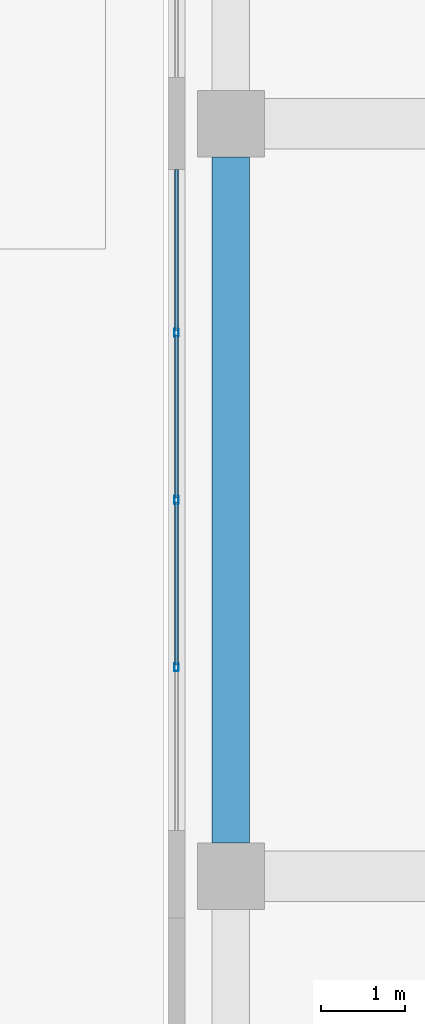
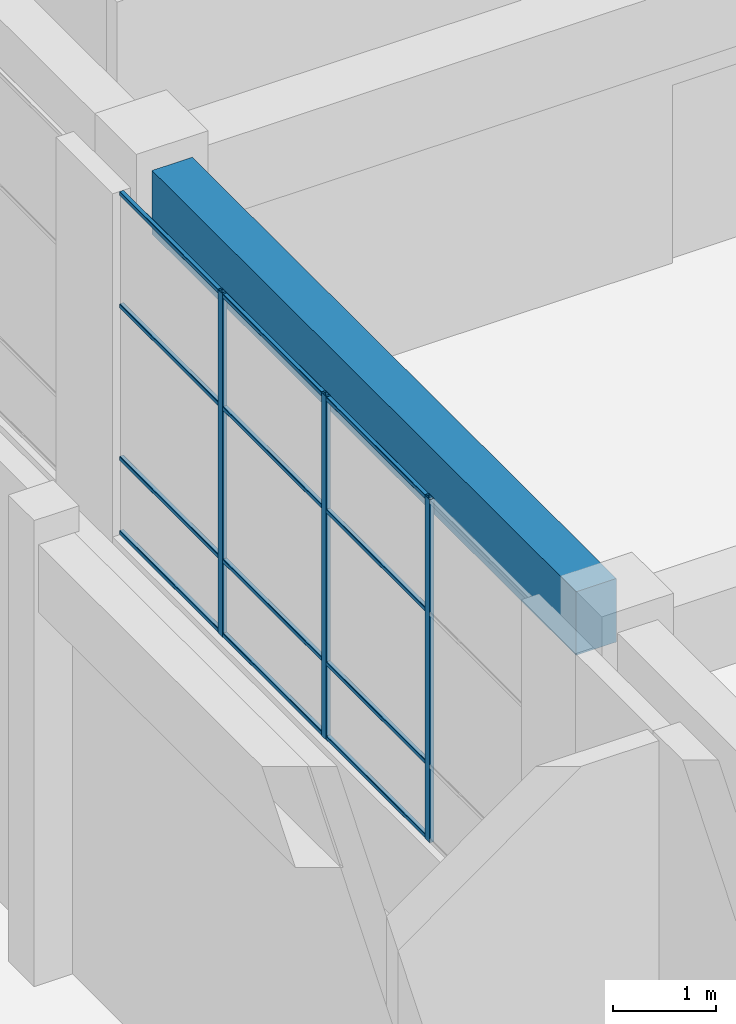
# One storey, part 25 of 72: 15 members, 1 beam, 1 element without a shape of its own.
"""IFC4 building model written with IfcOpenShell, lengths in metres."""

import ifcopenshell
import ifcopenshell.guid

model = None  # the IFC model being written
_history = None  # IfcOwnerHistory: only IFC2X3 demands one
_inside = {}  # id of a spatial element -> (the spatial element, [elements in it])
_under = {}  # id of a project, library or spatial element -> (it, [spatial elements below it])
_declared = {}  # id of a project -> (the project, [libraries it declares])
_typed = {}  # id of a type object -> (the type object, [elements of that type])
_made_of = {}  # id of a material, layer set ... -> (it, [elements and type objects made of it])


def new_model(schema):
    """Start an empty IFC model of exactly this schema.

    Asked for "IFC4X3", IfcOpenShell would pick the latest addendum, in which some entities
    have other attributes; the version numbers below select the first issue.
    IFC2X3 requires an IfcOwnerHistory on every rooted entity: one is made here for all.
    """
    global model, _history
    if schema == "IFC4X3":
        model = ifcopenshell.file(schema_version=(4, 3, 0, 0))
    else:
        model = ifcopenshell.file(schema=schema)
    _inside.clear()
    _under.clear()
    _declared.clear()
    _typed.clear()
    _made_of.clear()
    _history = None
    if model.schema == "IFC2X3":
        org = make("IfcOrganization", Name="unknown")
        user = make(
            "IfcPersonAndOrganization",
            ThePerson=make("IfcPerson", FamilyName="unknown"),
            TheOrganization=org,
        )
        app = make(
            "IfcApplication",
            ApplicationDeveloper=org,
            Version="unknown",
            ApplicationFullName="unknown",
            ApplicationIdentifier="unknown",
        )
        _history = make(
            "IfcOwnerHistory",
            OwningUser=user,
            OwningApplication=app,
            ChangeAction="ADDED",
            CreationDate=0,
        )
    return model


def make(cls, **values):
    """One entity of the class cls with the attributes given. An attribute that is None is left unset."""
    return model.create_entity(
        cls, **{name: value for name, value in values.items() if value is not None}
    )


def rooted(cls, **values):
    """An entity with a GlobalId (a new one), such as an element, a storey or a relation."""
    return make(cls, GlobalId=ifcopenshell.guid.new(), OwnerHistory=_history, **values)


def si_unit(unit_type, name, prefix=None):
    """IfcSIUnit, for example si_unit("LENGTHUNIT", "METRE", prefix="MILLI")."""
    return make("IfcSIUnit", UnitType=unit_type, Prefix=prefix, Name=name)


def assignment(units):
    """IfcUnitAssignment: the units of a project."""
    return None if units is None else make("IfcUnitAssignment", Units=units)


def point(xyz):
    """IfcCartesianPoint."""
    return None if xyz is None else make("IfcCartesianPoint", Coordinates=xyz)


def direction(xyz):
    """IfcDirection."""
    return None if xyz is None else make("IfcDirection", DirectionRatios=xyz)


def frame(location, z_axis=None, x_axis=None):
    """IfcAxis2Placement3D, a coordinate frame: its origin and axes. An axis left out is left unset."""
    return make(
        "IfcAxis2Placement3D",
        Location=point(location),
        Axis=direction(z_axis),
        RefDirection=direction(x_axis),
    )


def frame_2d(location, x_axis=None):
    """IfcAxis2Placement2D, a coordinate frame in the plane: its origin and x axis."""
    return make(
        "IfcAxis2Placement2D", Location=point(location), RefDirection=direction(x_axis)
    )


def origin():
    """The frame at (0, 0, 0) with its axes left unset."""
    return frame((0.0, 0.0, 0.0))


def origin_2d():
    """The frame at (0, 0) in the plane with its x axis left unset."""
    return frame_2d((0.0, 0.0))


def place(relative_to, where):
    """IfcLocalPlacement: puts the frame where relative to a parent placement (None: the world)."""
    return make(
        "IfcLocalPlacement", PlacementRelTo=relative_to, RelativePlacement=where
    )


def context(
    kind, dimensions, precision=None, world=None, true_north=None, identifier=None
):
    """IfcGeometricRepresentationContext, for example the 3D "Model" context."""
    return make(
        "IfcGeometricRepresentationContext",
        ContextIdentifier=identifier,
        ContextType=kind,
        CoordinateSpaceDimension=dimensions,
        Precision=precision,
        WorldCoordinateSystem=world,
        TrueNorth=true_north,
    )


def subcontext(parent, identifier, kind, view, scale=None):
    """IfcGeometricRepresentationSubContext, for example "Body" below "Model"."""
    return make(
        "IfcGeometricRepresentationSubContext",
        ContextIdentifier=identifier,
        ContextType=kind,
        ParentContext=parent,
        TargetScale=scale,
        TargetView=view,
    )


def project(units=None, contexts=None):
    """IfcProject with its units and contexts."""
    return rooted(
        "IfcProject",
        Name="project",
        RepresentationContexts=contexts,
        UnitsInContext=assignment(units),
    )


def spatial(cls, under=None, at=None, **own):
    """A site, building, storey or space (cls), placed at a placement, below another one or the project."""
    s = rooted(cls, ObjectPlacement=at, **own)
    if under is not None:
        _under.setdefault(under.id(), (under, []))[1].append(s)
    return s


def profile(cls, at=None, kind="AREA", **sizes):
    """A parametric profile (cls). Its sizes go by their IFC names, for example OverallWidth=200.0."""
    return make(cls, ProfileType=kind, Position=at, **sizes)


def rectangle(**sizes):
    """IfcRectangleProfileDef."""
    return profile("IfcRectangleProfileDef", **sizes)


def hollow_rectangle(**sizes):
    """IfcRectangleHollowProfileDef."""
    return profile("IfcRectangleHollowProfileDef", **sizes)


def extrude(swept, where, along, depth):
    """IfcExtrudedAreaSolid: the profile swept, set in the frame where, extruded along a direction by depth."""
    return make(
        "IfcExtrudedAreaSolid",
        SweptArea=swept,
        Position=where,
        ExtrudedDirection=direction(along),
        Depth=depth,
    )


def shape(context_of_items, identifier, shape_type, items):
    """IfcShapeRepresentation: the items that make up one representation, for example the "Body"."""
    return make(
        "IfcShapeRepresentation",
        ContextOfItems=context_of_items,
        RepresentationIdentifier=identifier,
        RepresentationType=shape_type,
        Items=items,
    )


def material(Name=None, Category=None):
    """IfcMaterial."""
    return make("IfcMaterial", Name=Name, Category=Category)


def layer(
    of_material, thickness, ventilated=None, Name=None, Category=None, Priority=None
):
    """IfcMaterialLayer: one layer of a wall or slab, of a material (None: an air gap)."""
    return make(
        "IfcMaterialLayer",
        Material=of_material,
        LayerThickness=thickness,
        IsVentilated=ventilated,
        Name=Name,
        Category=Category,
        Priority=Priority,
    )


def layer_set(layers, Name=None):
    """IfcMaterialLayerSet."""
    return make("IfcMaterialLayerSet", MaterialLayers=layers, LayerSetName=Name)


def material_profile(
    of_material, cross_section, Name=None, Category=None, Priority=None
):
    """IfcMaterialProfile: a cross section and its material."""
    return make(
        "IfcMaterialProfile",
        Name=Name,
        Material=of_material,
        Profile=cross_section,
        Priority=Priority,
        Category=Category,
    )


def profile_set(profiles, Name=None, composite=None):
    """IfcMaterialProfileSet."""
    return make(
        "IfcMaterialProfileSet",
        Name=Name,
        MaterialProfiles=profiles,
        CompositeProfile=composite,
    )


def made_of(thing, what):
    """Note that an element or type object is made of a material, layer set ...; save() writes the relation."""
    if what is not None:
        _made_of.setdefault(what.id(), (what, []))[1].append(thing)
    return thing


def type_object(cls, material=None, **own):
    """A type object (cls), such as IfcWallType, which elements share."""
    return made_of(rooted(cls, **own), material)


def element(
    cls,
    number,
    at=None,
    inside=None,
    cuts=None,
    type_object=None,
    material=None,
    context=None,
    identifier="Body",
    shape_type=None,
    held_by="IfcProductDefinitionShape",
    body=None,
    shapes=None,
    **own,
):
    """One element of the class cls, such as IfcWall. Its Tag is "e" and its number.

    at: its placement. inside: the storey or other place that contains it. cuts: it is an
    opening in that element (IfcRelVoidsElement). A single representation is given by context,
    identifier, shape_type and body (its items); several are given by shapes. held_by: the class
    of the entity that holds the representations. save() writes the other relations.
    """
    e = rooted(cls, Tag="e%d" % number, ObjectPlacement=at, **own)
    if body is not None:
        shapes = [shape(context, identifier, shape_type, body)]
    if shapes is not None:
        e.Representation = make(held_by, Representations=shapes)
    if inside is not None:
        _inside.setdefault(inside.id(), (inside, []))[1].append(e)
    if cuts is not None:
        rooted(
            "IfcRelVoidsElement", RelatingBuildingElement=cuts, RelatedOpeningElement=e
        )
    if type_object is not None:
        _typed.setdefault(type_object.id(), (type_object, []))[1].append(e)
    return made_of(e, material)


def aggregate(whole, parts):
    """IfcRelAggregates: a whole, such as a stair, and the parts it consists of."""
    return rooted("IfcRelAggregates", RelatingObject=whole, RelatedObjects=parts)


def save(model, path):
    """Write the relations noted so far, then the file.

    IfcRelAggregates (storeys below a building ...), IfcRelContainedInSpatialStructure (elements
    in a storey), IfcRelDefinesByType, IfcRelAssociatesMaterial and IfcRelDeclares: one each for
    every whole, place, type object, material and project.
    """
    for whole, parts in _under.values():
        aggregate(whole, parts)
    for where, things in _inside.values():
        rooted(
            "IfcRelContainedInSpatialStructure",
            RelatedElements=things,
            RelatingStructure=where,
        )
    for kind, things in _typed.values():
        rooted("IfcRelDefinesByType", RelatedObjects=things, RelatingType=kind)
    for what, things in _made_of.values():
        rooted("IfcRelAssociatesMaterial", RelatedObjects=things, RelatingMaterial=what)
    for by, libraries in _declared.values():
        rooted("IfcRelDeclares", RelatingContext=by, RelatedDefinitions=libraries)
    model.write(path)


model = new_model("IFC4")

# Units and contexts
model_context = context("Model", 3, precision=1e-05, world=origin(), true_north=direction((0.0, 1.0)))
body_context = subcontext(model_context, "Body", "Model", "MODEL_VIEW")
ifc_project = project(units=[si_unit("LENGTHUNIT", "METRE"), si_unit("AREAUNIT", "SQUARE_METRE"), si_unit("VOLUMEUNIT", "CUBIC_METRE"), si_unit("PLANEANGLEUNIT", "RADIAN"), si_unit("MASSUNIT", "GRAM", prefix="KILO")], contexts=[model_context])

# Site, building, storey
site_placement = place(None, origin())
site = spatial("IfcSite", under=ifc_project, at=site_placement, CompositionType="ELEMENT")
building_placement = place(site_placement, origin())
building = spatial("IfcBuilding", under=site, at=building_placement, Name="Tuart Plaza Theatre", CompositionType="ELEMENT")
storey_placement = place(building_placement, origin())
storey = spatial("IfcBuildingStorey", under=building, at=storey_placement, Name="L00", CompositionType="ELEMENT", Elevation=0.0)

# Beam
ifc_material_1 = material(Name="Concrete N40 (40 MPa)", Category="concrete")
ifc_material_profile_1 = material_profile(ifc_material_1, rectangle(XDim=0.449951171875, YDim=0.75, at=origin_2d()), Name="BEAM 450x750 Concrete N40 (40 MPa)")
ifc_profile_set_1 = profile_set([ifc_material_profile_1], Name="Concrete N40 (40 MPa)")
beam_type = type_object("IfcBeamType", Name="BEAM 450x750 Concrete N40 (40 MPa)", PredefinedType="BEAM", material=ifc_profile_set_1)
beam_placement = place(storey_placement, frame((114.0, 74.39990234375, 4.875), z_axis=(0.0, 1.0, 0.0), x_axis=(-1.0, 0.0, 0.0)))
element("IfcBeam", 1, at=beam_placement, inside=storey, type_object=beam_type, Name="RB126", PredefinedType="BEAM", context=body_context, shape_type="SweptSolid", body=[
    extrude(rectangle(XDim=0.449951171875, YDim=0.75, at=origin_2d()), origin(), (0.0, 0.0, 1.0), 8.2001953125),
])

# Curtain wall, members
ifc_material_2 = material(Name="Aluminium and glass", Category="aluminium")
ifc_layer = layer(ifc_material_2, 0.10009765625)
ifc_layer_set = layer_set([ifc_layer], Name="CURTAIN WALL 2000 module")
curtain_wall_type = type_object("IfcCurtainWallType", Name="CURTAIN WALL 2000 module", PredefinedType="NOTDEFINED", material=ifc_layer_set)
curtain_wall_placement = place(storey_placement, origin())
curtain_wall = element("IfcCurtainWall", 2, at=curtain_wall_placement, inside=storey, type_object=curtain_wall_type, Name="CW58", PredefinedType="NOTDEFINED")
ifc_material_3 = material(Name="Aluminium 6063-T5", Category="aluminium")
ifc_material_profile_2 = material_profile(ifc_material_3, hollow_rectangle(XDim=0.050048828125, YDim=0.10009765625, WallThickness=0.00390625, InnerFilletRadius=0.00390625, OuterFilletRadius=0.008056640625, at=origin_2d()), Name="RHS 100x50x4")
ifc_profile_set_2 = profile_set([ifc_material_profile_2], Name="Aluminium 6063-T5")
member_type_1 = type_object("IfcMemberType", Name="MULLION RHS 100x50x4", PredefinedType="MULLION", material=ifc_profile_set_2)
member_1_placement = place(storey_placement, frame((113.35009765625, 80.5, 1.199951171875), z_axis=(0.0, 0.0, 1.0), x_axis=(1.0, 0.0, 0.0)))
member_1 = element("IfcMember", 3, at=member_1_placement, type_object=member_type_1, Name="CW58 mullion 2", PredefinedType="MULLION", context=body_context, shape_type="SweptSolid", body=[
    extrude(hollow_rectangle(XDim=0.050048828125, YDim=0.10009765625, WallThickness=0.00390625, InnerFilletRadius=0.00390625, OuterFilletRadius=0.008056640625, at=origin_2d()), origin(), (0.0, 0.0, 1.0), 4.050048828125),
])
member_2_placement = place(storey_placement, frame((113.35009765625, 78.5, 1.199951171875), z_axis=(0.0, 0.0, 1.0), x_axis=(1.0, 0.0, 0.0)))
member_2 = element("IfcMember", 4, at=member_2_placement, type_object=member_type_1, Name="CW58 mullion 3", PredefinedType="MULLION", context=body_context, shape_type="SweptSolid", body=[
    extrude(hollow_rectangle(XDim=0.050048828125, YDim=0.10009765625, WallThickness=0.00390625, InnerFilletRadius=0.00390625, OuterFilletRadius=0.008056640625, at=origin_2d()), origin(), (0.0, 0.0, 1.0), 4.050048828125),
])
member_3_placement = place(storey_placement, frame((113.35009765625, 76.5, 1.199951171875), z_axis=(0.0, 0.0, 1.0), x_axis=(1.0, 0.0, 0.0)))
member_3 = element("IfcMember", 5, at=member_3_placement, type_object=member_type_1, Name="CW58 mullion 4", PredefinedType="MULLION", context=body_context, shape_type="SweptSolid", body=[
    extrude(hollow_rectangle(XDim=0.050048828125, YDim=0.10009765625, WallThickness=0.00390625, InnerFilletRadius=0.00390625, OuterFilletRadius=0.008056640625, at=origin_2d()), origin(), (0.0, 0.0, 1.0), 4.050048828125),
])
ifc_material_4 = material(Name="Aluminium 6063-T5", Category="aluminium")
ifc_material_profile_3 = material_profile(ifc_material_4, hollow_rectangle(XDim=0.050048828125, YDim=0.050048828125, WallThickness=0.00390625, InnerFilletRadius=0.00390625, OuterFilletRadius=0.008056640625, at=origin_2d()), Name="RHS 50x50x4")
ifc_profile_set_3 = profile_set([ifc_material_profile_3], Name="Aluminium 6063-T5")
member_type_2 = type_object("IfcMemberType", Name="TRANSOM RHS 50x50x4", PredefinedType="USERDEFINED", material=ifc_profile_set_3)
member_4_placement = place(storey_placement, frame((113.35009765625, 82.449951171875, 1.22509765625), z_axis=(0.0, -1.0, 0.0), x_axis=(1.0, 0.0, 0.0)))
member_4 = element("IfcMember", 6, at=member_4_placement, type_object=member_type_2, Name="CW58 transom 1.1", ObjectType="TRANSOM", PredefinedType="USERDEFINED", context=body_context, shape_type="SweptSolid", body=[
    extrude(hollow_rectangle(XDim=0.050048828125, YDim=0.050048828125, WallThickness=0.00390625, InnerFilletRadius=0.00390625, OuterFilletRadius=0.008056640625, at=origin_2d()), origin(), (0.0, 0.0, 1.0), 1.925048828125),
])
member_5_placement = place(storey_placement, frame((113.35009765625, 82.449951171875, 2.10009765625), z_axis=(0.0, -1.0, 0.0), x_axis=(1.0, 0.0, 0.0)))
member_5 = element("IfcMember", 7, at=member_5_placement, type_object=member_type_2, Name="CW58 transom 1.2", ObjectType="TRANSOM", PredefinedType="USERDEFINED", context=body_context, shape_type="SweptSolid", body=[
    extrude(hollow_rectangle(XDim=0.050048828125, YDim=0.050048828125, WallThickness=0.00390625, InnerFilletRadius=0.00390625, OuterFilletRadius=0.008056640625, at=origin_2d()), origin(), (0.0, 0.0, 1.0), 1.925048828125),
])
member_6_placement = place(storey_placement, frame((113.35009765625, 82.449951171875, 3.89990234375), z_axis=(0.0, -1.0, 0.0), x_axis=(1.0, 0.0, 0.0)))
member_6 = element("IfcMember", 8, at=member_6_placement, type_object=member_type_2, Name="CW58 transom 1.3", ObjectType="TRANSOM", PredefinedType="USERDEFINED", context=body_context, shape_type="SweptSolid", body=[
    extrude(hollow_rectangle(XDim=0.050048828125, YDim=0.050048828125, WallThickness=0.00390625, InnerFilletRadius=0.00390625, OuterFilletRadius=0.008056640625, at=origin_2d()), origin(), (0.0, 0.0, 1.0), 1.925048828125),
])
member_7_placement = place(storey_placement, frame((113.35009765625, 82.449951171875, 5.22509765625), z_axis=(0.0, -1.0, 0.0), x_axis=(1.0, 0.0, 0.0)))
member_7 = element("IfcMember", 9, at=member_7_placement, type_object=member_type_2, Name="CW58 transom 1.4", ObjectType="TRANSOM", PredefinedType="USERDEFINED", context=body_context, shape_type="SweptSolid", body=[
    extrude(hollow_rectangle(XDim=0.050048828125, YDim=0.050048828125, WallThickness=0.00390625, InnerFilletRadius=0.00390625, OuterFilletRadius=0.008056640625, at=origin_2d()), origin(), (0.0, 0.0, 1.0), 1.925048828125),
])
member_8_placement = place(storey_placement, frame((113.35009765625, 80.47509765625, 1.22509765625), z_axis=(0.0, -1.0, 0.0), x_axis=(1.0, 0.0, 0.0)))
member_8 = element("IfcMember", 10, at=member_8_placement, type_object=member_type_2, Name="CW58 transom 2.1", ObjectType="TRANSOM", PredefinedType="USERDEFINED", context=body_context, shape_type="SweptSolid", body=[
    extrude(hollow_rectangle(XDim=0.050048828125, YDim=0.050048828125, WallThickness=0.00390625, InnerFilletRadius=0.00390625, OuterFilletRadius=0.008056640625, at=origin_2d()), origin(), (0.0, 0.0, 1.0), 1.9501953125),
])
member_9_placement = place(storey_placement, frame((113.35009765625, 80.47509765625, 2.10009765625), z_axis=(0.0, -1.0, 0.0), x_axis=(1.0, 0.0, 0.0)))
member_9 = element("IfcMember", 11, at=member_9_placement, type_object=member_type_2, Name="CW58 transom 2.2", ObjectType="TRANSOM", PredefinedType="USERDEFINED", context=body_context, shape_type="SweptSolid", body=[
    extrude(hollow_rectangle(XDim=0.050048828125, YDim=0.050048828125, WallThickness=0.00390625, InnerFilletRadius=0.00390625, OuterFilletRadius=0.008056640625, at=origin_2d()), origin(), (0.0, 0.0, 1.0), 1.9501953125),
])
member_10_placement = place(storey_placement, frame((113.35009765625, 80.47509765625, 3.89990234375), z_axis=(0.0, -1.0, 0.0), x_axis=(1.0, 0.0, 0.0)))
member_10 = element("IfcMember", 12, at=member_10_placement, type_object=member_type_2, Name="CW58 transom 2.3", ObjectType="TRANSOM", PredefinedType="USERDEFINED", context=body_context, shape_type="SweptSolid", body=[
    extrude(hollow_rectangle(XDim=0.050048828125, YDim=0.050048828125, WallThickness=0.00390625, InnerFilletRadius=0.00390625, OuterFilletRadius=0.008056640625, at=origin_2d()), origin(), (0.0, 0.0, 1.0), 1.9501953125),
])
member_11_placement = place(storey_placement, frame((113.35009765625, 80.47509765625, 5.22509765625), z_axis=(0.0, -1.0, 0.0), x_axis=(1.0, 0.0, 0.0)))
member_11 = element("IfcMember", 13, at=member_11_placement, type_object=member_type_2, Name="CW58 transom 2.4", ObjectType="TRANSOM", PredefinedType="USERDEFINED", context=body_context, shape_type="SweptSolid", body=[
    extrude(hollow_rectangle(XDim=0.050048828125, YDim=0.050048828125, WallThickness=0.00390625, InnerFilletRadius=0.00390625, OuterFilletRadius=0.008056640625, at=origin_2d()), origin(), (0.0, 0.0, 1.0), 1.9501953125),
])
member_12_placement = place(storey_placement, frame((113.35009765625, 78.47509765625, 1.22509765625), z_axis=(0.0, -1.0, 0.0), x_axis=(1.0, 0.0, 0.0)))
member_12 = element("IfcMember", 14, at=member_12_placement, type_object=member_type_2, Name="CW58 transom 3.1", ObjectType="TRANSOM", PredefinedType="USERDEFINED", context=body_context, shape_type="SweptSolid", body=[
    extrude(hollow_rectangle(XDim=0.050048828125, YDim=0.050048828125, WallThickness=0.00390625, InnerFilletRadius=0.00390625, OuterFilletRadius=0.008056640625, at=origin_2d()), origin(), (0.0, 0.0, 1.0), 1.9501953125),
])
member_13_placement = place(storey_placement, frame((113.35009765625, 78.47509765625, 2.10009765625), z_axis=(0.0, -1.0, 0.0), x_axis=(1.0, 0.0, 0.0)))
member_13 = element("IfcMember", 15, at=member_13_placement, type_object=member_type_2, Name="CW58 transom 3.2", ObjectType="TRANSOM", PredefinedType="USERDEFINED", context=body_context, shape_type="SweptSolid", body=[
    extrude(hollow_rectangle(XDim=0.050048828125, YDim=0.050048828125, WallThickness=0.00390625, InnerFilletRadius=0.00390625, OuterFilletRadius=0.008056640625, at=origin_2d()), origin(), (0.0, 0.0, 1.0), 1.9501953125),
])
member_14_placement = place(storey_placement, frame((113.35009765625, 78.47509765625, 3.89990234375), z_axis=(0.0, -1.0, 0.0), x_axis=(1.0, 0.0, 0.0)))
member_14 = element("IfcMember", 16, at=member_14_placement, type_object=member_type_2, Name="CW58 transom 3.3", ObjectType="TRANSOM", PredefinedType="USERDEFINED", context=body_context, shape_type="SweptSolid", body=[
    extrude(hollow_rectangle(XDim=0.050048828125, YDim=0.050048828125, WallThickness=0.00390625, InnerFilletRadius=0.00390625, OuterFilletRadius=0.008056640625, at=origin_2d()), origin(), (0.0, 0.0, 1.0), 1.9501953125),
])
member_15_placement = place(storey_placement, frame((113.35009765625, 78.47509765625, 5.22509765625), z_axis=(0.0, -1.0, 0.0), x_axis=(1.0, 0.0, 0.0)))
member_15 = element("IfcMember", 17, at=member_15_placement, type_object=member_type_2, Name="CW58 transom 3.4", ObjectType="TRANSOM", PredefinedType="USERDEFINED", context=body_context, shape_type="SweptSolid", body=[
    extrude(hollow_rectangle(XDim=0.050048828125, YDim=0.050048828125, WallThickness=0.00390625, InnerFilletRadius=0.00390625, OuterFilletRadius=0.008056640625, at=origin_2d()), origin(), (0.0, 0.0, 1.0), 1.9501953125),
])
aggregate(curtain_wall, [member_1, member_2, member_3, member_4, member_5, member_6, member_7, member_8, member_9, member_10, member_11, member_12, member_13, member_14, member_15])

save(model, "model.ifc")
